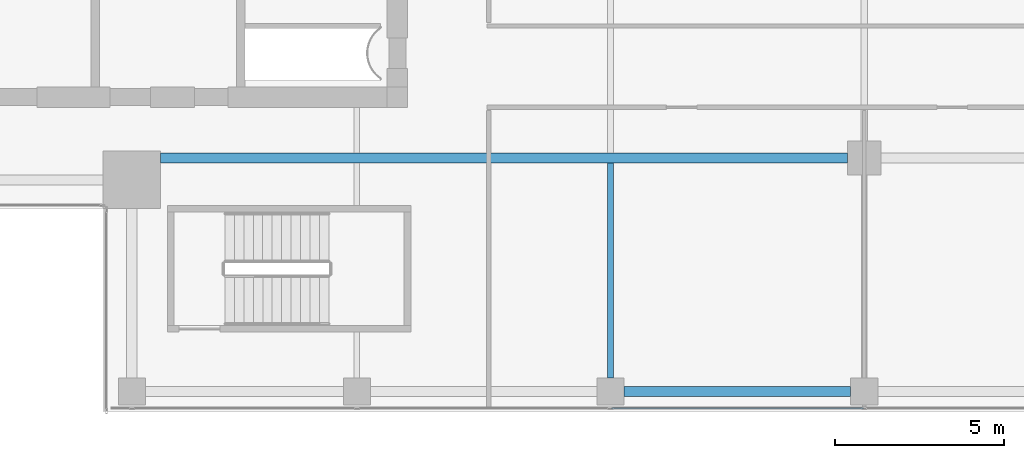
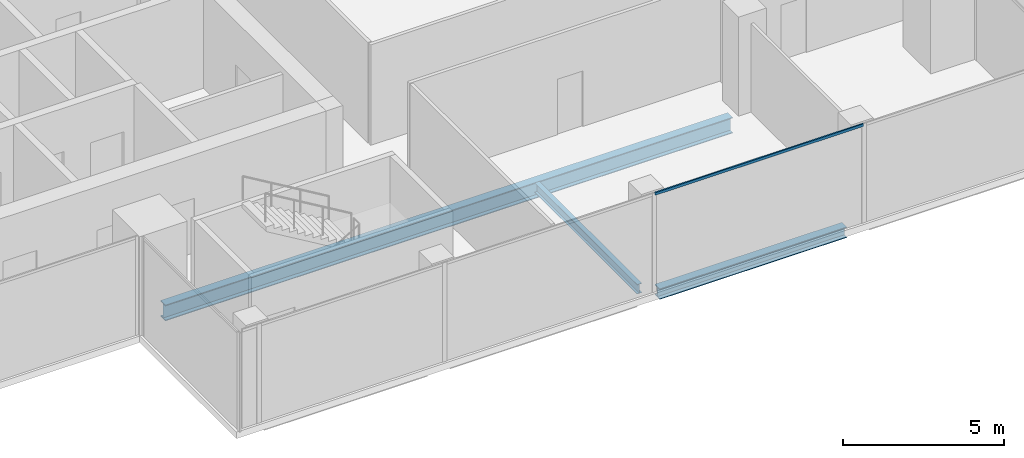
# One storey, part 6 of 29: 3 beams, 1 member, 1 element without a shape of its own.
"""IFC4 building model written with IfcOpenShell, lengths in metres."""

import ifcopenshell
import ifcopenshell.guid

model = None  # the IFC model being written
_history = None  # IfcOwnerHistory: only IFC2X3 demands one
_inside = {}  # id of a spatial element -> (the spatial element, [elements in it])
_under = {}  # id of a project, library or spatial element -> (it, [spatial elements below it])
_declared = {}  # id of a project -> (the project, [libraries it declares])
_typed = {}  # id of a type object -> (the type object, [elements of that type])
_made_of = {}  # id of a material, layer set ... -> (it, [elements and type objects made of it])


def new_model(schema):
    """Start an empty IFC model of exactly this schema.

    Asked for "IFC4X3", IfcOpenShell would pick the latest addendum, in which some entities
    have other attributes; the version numbers below select the first issue.
    IFC2X3 requires an IfcOwnerHistory on every rooted entity: one is made here for all.
    """
    global model, _history
    if schema == "IFC4X3":
        model = ifcopenshell.file(schema_version=(4, 3, 0, 0))
    else:
        model = ifcopenshell.file(schema=schema)
    _inside.clear()
    _under.clear()
    _declared.clear()
    _typed.clear()
    _made_of.clear()
    _history = None
    if model.schema == "IFC2X3":
        org = make("IfcOrganization", Name="unknown")
        user = make(
            "IfcPersonAndOrganization",
            ThePerson=make("IfcPerson", FamilyName="unknown"),
            TheOrganization=org,
        )
        app = make(
            "IfcApplication",
            ApplicationDeveloper=org,
            Version="unknown",
            ApplicationFullName="unknown",
            ApplicationIdentifier="unknown",
        )
        _history = make(
            "IfcOwnerHistory",
            OwningUser=user,
            OwningApplication=app,
            ChangeAction="ADDED",
            CreationDate=0,
        )
    return model


def make(cls, **values):
    """One entity of the class cls with the attributes given. An attribute that is None is left unset."""
    return model.create_entity(
        cls, **{name: value for name, value in values.items() if value is not None}
    )


def rooted(cls, **values):
    """An entity with a GlobalId (a new one), such as an element, a storey or a relation."""
    return make(cls, GlobalId=ifcopenshell.guid.new(), OwnerHistory=_history, **values)


def si_unit(unit_type, name, prefix=None):
    """IfcSIUnit, for example si_unit("LENGTHUNIT", "METRE", prefix="MILLI")."""
    return make("IfcSIUnit", UnitType=unit_type, Prefix=prefix, Name=name)


def assignment(units):
    """IfcUnitAssignment: the units of a project."""
    return None if units is None else make("IfcUnitAssignment", Units=units)


def point(xyz):
    """IfcCartesianPoint."""
    return None if xyz is None else make("IfcCartesianPoint", Coordinates=xyz)


def direction(xyz):
    """IfcDirection."""
    return None if xyz is None else make("IfcDirection", DirectionRatios=xyz)


def frame(location, z_axis=None, x_axis=None):
    """IfcAxis2Placement3D, a coordinate frame: its origin and axes. An axis left out is left unset."""
    return make(
        "IfcAxis2Placement3D",
        Location=point(location),
        Axis=direction(z_axis),
        RefDirection=direction(x_axis),
    )


def frame_2d(location, x_axis=None):
    """IfcAxis2Placement2D, a coordinate frame in the plane: its origin and x axis."""
    return make(
        "IfcAxis2Placement2D", Location=point(location), RefDirection=direction(x_axis)
    )


def origin():
    """The frame at (0, 0, 0) with its axes left unset."""
    return frame((0.0, 0.0, 0.0))


def origin_2d():
    """The frame at (0, 0) in the plane with its x axis left unset."""
    return frame_2d((0.0, 0.0))


def place(relative_to, where):
    """IfcLocalPlacement: puts the frame where relative to a parent placement (None: the world)."""
    return make(
        "IfcLocalPlacement", PlacementRelTo=relative_to, RelativePlacement=where
    )


def context(
    kind, dimensions, precision=None, world=None, true_north=None, identifier=None
):
    """IfcGeometricRepresentationContext, for example the 3D "Model" context."""
    return make(
        "IfcGeometricRepresentationContext",
        ContextIdentifier=identifier,
        ContextType=kind,
        CoordinateSpaceDimension=dimensions,
        Precision=precision,
        WorldCoordinateSystem=world,
        TrueNorth=true_north,
    )


def subcontext(parent, identifier, kind, view, scale=None):
    """IfcGeometricRepresentationSubContext, for example "Body" below "Model"."""
    return make(
        "IfcGeometricRepresentationSubContext",
        ContextIdentifier=identifier,
        ContextType=kind,
        ParentContext=parent,
        TargetScale=scale,
        TargetView=view,
    )


def project(units=None, contexts=None):
    """IfcProject with its units and contexts."""
    return rooted(
        "IfcProject",
        Name="project",
        RepresentationContexts=contexts,
        UnitsInContext=assignment(units),
    )


def spatial(cls, under=None, at=None, **own):
    """A site, building, storey or space (cls), placed at a placement, below another one or the project."""
    s = rooted(cls, ObjectPlacement=at, **own)
    if under is not None:
        _under.setdefault(under.id(), (under, []))[1].append(s)
    return s


def profile(cls, at=None, kind="AREA", **sizes):
    """A parametric profile (cls). Its sizes go by their IFC names, for example OverallWidth=200.0."""
    return make(cls, ProfileType=kind, Position=at, **sizes)


def hollow_rectangle(**sizes):
    """IfcRectangleHollowProfileDef."""
    return profile("IfcRectangleHollowProfileDef", **sizes)


def i_section(**sizes):
    """IfcIShapeProfileDef."""
    return profile("IfcIShapeProfileDef", **sizes)


def extrude(swept, where, along, depth):
    """IfcExtrudedAreaSolid: the profile swept, set in the frame where, extruded along a direction by depth."""
    return make(
        "IfcExtrudedAreaSolid",
        SweptArea=swept,
        Position=where,
        ExtrudedDirection=direction(along),
        Depth=depth,
    )


def shape(context_of_items, identifier, shape_type, items):
    """IfcShapeRepresentation: the items that make up one representation, for example the "Body"."""
    return make(
        "IfcShapeRepresentation",
        ContextOfItems=context_of_items,
        RepresentationIdentifier=identifier,
        RepresentationType=shape_type,
        Items=items,
    )


def source(mapping_origin, context_of_items, identifier, shape_type, items):
    """IfcRepresentationMap: a shape defined once, which mapped items show again and again."""
    return make(
        "IfcRepresentationMap",
        MappingOrigin=mapping_origin,
        MappedRepresentation=shape(context_of_items, identifier, shape_type, items),
    )


def transform(
    local_origin,
    x_axis=None,
    y_axis=None,
    z_axis=None,
    scale=None,
    scale2=None,
    scale3=None,
    uniform=True,
):
    """IfcCartesianTransformationOperator3D, or its non-uniform kind. x_axis, y_axis, z_axis: its Axis1, 2, 3."""
    if uniform:
        return make(
            "IfcCartesianTransformationOperator3D",
            Axis1=direction(x_axis),
            Axis2=direction(y_axis),
            LocalOrigin=point(local_origin),
            Scale=scale,
            Axis3=direction(z_axis),
        )
    return make(
        "IfcCartesianTransformationOperator3DnonUniform",
        Axis1=direction(x_axis),
        Axis2=direction(y_axis),
        LocalOrigin=point(local_origin),
        Scale=scale,
        Axis3=direction(z_axis),
        Scale2=scale2,
        Scale3=scale3,
    )


def mapped(mapping_source, mapping_target):
    """IfcMappedItem: shows the shape of a source again, moved by a transform."""
    return make(
        "IfcMappedItem", MappingSource=mapping_source, MappingTarget=mapping_target
    )


def material(Name=None, Category=None):
    """IfcMaterial."""
    return make("IfcMaterial", Name=Name, Category=Category)


def material_profile(
    of_material, cross_section, Name=None, Category=None, Priority=None
):
    """IfcMaterialProfile: a cross section and its material."""
    return make(
        "IfcMaterialProfile",
        Name=Name,
        Material=of_material,
        Profile=cross_section,
        Priority=Priority,
        Category=Category,
    )


def profile_set(profiles, Name=None, composite=None):
    """IfcMaterialProfileSet."""
    return make(
        "IfcMaterialProfileSet",
        Name=Name,
        MaterialProfiles=profiles,
        CompositeProfile=composite,
    )


def made_of(thing, what):
    """Note that an element or type object is made of a material, layer set ...; save() writes the relation."""
    if what is not None:
        _made_of.setdefault(what.id(), (what, []))[1].append(thing)
    return thing


def type_object(cls, material=None, **own):
    """A type object (cls), such as IfcWallType, which elements share."""
    return made_of(rooted(cls, **own), material)


def element(
    cls,
    number,
    at=None,
    inside=None,
    cuts=None,
    type_object=None,
    material=None,
    context=None,
    identifier="Body",
    shape_type=None,
    held_by="IfcProductDefinitionShape",
    body=None,
    shapes=None,
    **own,
):
    """One element of the class cls, such as IfcWall. Its Tag is "e" and its number.

    at: its placement. inside: the storey or other place that contains it. cuts: it is an
    opening in that element (IfcRelVoidsElement). A single representation is given by context,
    identifier, shape_type and body (its items); several are given by shapes. held_by: the class
    of the entity that holds the representations. save() writes the other relations.
    """
    e = rooted(cls, Tag="e%d" % number, ObjectPlacement=at, **own)
    if body is not None:
        shapes = [shape(context, identifier, shape_type, body)]
    if shapes is not None:
        e.Representation = make(held_by, Representations=shapes)
    if inside is not None:
        _inside.setdefault(inside.id(), (inside, []))[1].append(e)
    if cuts is not None:
        rooted(
            "IfcRelVoidsElement", RelatingBuildingElement=cuts, RelatedOpeningElement=e
        )
    if type_object is not None:
        _typed.setdefault(type_object.id(), (type_object, []))[1].append(e)
    return made_of(e, material)


def aggregate(whole, parts):
    """IfcRelAggregates: a whole, such as a stair, and the parts it consists of."""
    return rooted("IfcRelAggregates", RelatingObject=whole, RelatedObjects=parts)


def save(model, path):
    """Write the relations noted so far, then the file.

    IfcRelAggregates (storeys below a building ...), IfcRelContainedInSpatialStructure (elements
    in a storey), IfcRelDefinesByType, IfcRelAssociatesMaterial and IfcRelDeclares: one each for
    every whole, place, type object, material and project.
    """
    for whole, parts in _under.values():
        aggregate(whole, parts)
    for where, things in _inside.values():
        rooted(
            "IfcRelContainedInSpatialStructure",
            RelatedElements=things,
            RelatingStructure=where,
        )
    for kind, things in _typed.values():
        rooted("IfcRelDefinesByType", RelatedObjects=things, RelatingType=kind)
    for what, things in _made_of.values():
        rooted("IfcRelAssociatesMaterial", RelatedObjects=things, RelatingMaterial=what)
    for by, libraries in _declared.values():
        rooted("IfcRelDeclares", RelatingContext=by, RelatedDefinitions=libraries)
    model.write(path)


model = new_model("IFC4")

# Units and contexts
model_context = context("Model", 3, precision=1e-05, world=origin(), true_north=direction((0.0, 1.0)))
body_context = subcontext(model_context, "Body", "Model", "MODEL_VIEW")
ifc_project = project(units=[si_unit("LENGTHUNIT", "METRE"), si_unit("AREAUNIT", "SQUARE_METRE"), si_unit("VOLUMEUNIT", "CUBIC_METRE"), si_unit("PLANEANGLEUNIT", "RADIAN"), si_unit("MASSUNIT", "GRAM", prefix="KILO")], contexts=[model_context])

# Site, building, storey
site_placement = place(None, origin())
site = spatial("IfcSite", under=ifc_project, at=site_placement, CompositionType="ELEMENT")
building_placement = place(site_placement, origin())
building = spatial("IfcBuilding", under=site, at=building_placement, Name="Khomas Fold Tower", CompositionType="ELEMENT")
storey_placement = place(building_placement, frame((0.0, 0.0, 326.199951171875)))
storey = spatial("IfcBuildingStorey", under=building, at=storey_placement, Name="L74", CompositionType="ELEMENT", Elevation=326.199951171875)

# Beams
ifc_material_1 = material(Name="Steel S355", Category="steel")
ifc_material_profile_1 = material_profile(ifc_material_1, i_section(OverallWidth=0.300048828125, OverallDepth=0.39990234375, WebThickness=0.013427734375, FlangeThickness=0.02392578125, at=origin_2d()), Name="HE 400 B")
ifc_profile_set_1 = profile_set([ifc_material_profile_1], Name="Steel S355")
beam_type_1 = type_object("IfcBeamType", Name="HE 400 B spandrel SB5", PredefinedType="SPANDREL", material=ifc_profile_set_1)
shared_shape_1 = source(origin(), body_context, "Body", "SweptSolid", [
    extrude(i_section(OverallWidth=0.300048828125, OverallDepth=0.39990234375, WebThickness=0.013427734375, FlangeThickness=0.02392578125, at=origin_2d()), origin(), (0.0, 0.0, 1.0), 6.7001953125),
])
beam_1_placement = place(storey_placement, frame((27.39990234375, 6.60009765625, -0.449951171875), z_axis=(1.0, 0.0, 0.0), x_axis=(0.0, 1.0, 0.0)))
element("IfcBeam", 1, at=beam_1_placement, inside=storey, type_object=beam_type_1, Name="SB5", PredefinedType="SPANDREL", context=body_context, shape_type="MappedRepresentation", body=[
    mapped(shared_shape_1, transform((0.0, 0.0, 0.0))),
])
ifc_material_2 = material(Name="Steel S355", Category="steel")
ifc_material_profile_2 = material_profile(ifc_material_2, i_section(OverallWidth=0.300048828125, OverallDepth=0.60009765625, WebThickness=0.015380859375, FlangeThickness=0.030029296875, at=origin_2d()), Name="HE 600 B")
ifc_profile_set_2 = profile_set([ifc_material_profile_2], Name="Steel S355")
beam_type_2 = type_object("IfcBeamType", Name="HE 600 B beam GB5", PredefinedType="BEAM", material=ifc_profile_set_2)
shared_shape_2 = source(origin(), body_context, "Body", "SweptSolid", [
    extrude(i_section(OverallWidth=0.300048828125, OverallDepth=0.60009765625, WebThickness=0.015380859375, FlangeThickness=0.030029296875, at=origin_2d()), origin(), (0.0, 0.0, 1.0), 20.300048828125),
])
beam_2_placement = place(storey_placement, frame((13.699951171875, 13.5, -0.550048828125), z_axis=(1.0, 0.0, 0.0), x_axis=(0.0, 1.0, 0.0)))
element("IfcBeam", 2, at=beam_2_placement, inside=storey, type_object=beam_type_2, Name="GB5", PredefinedType="BEAM", context=body_context, shape_type="MappedRepresentation", body=[
    mapped(shared_shape_2, transform((0.0, 0.0, 0.0))),
])
ifc_material_3 = material(Name="Steel S355", Category="steel")
ifc_material_profile_3 = material_profile(ifc_material_3, i_section(OverallWidth=0.169921875, OverallDepth=0.360107421875, WebThickness=0.008056640625, FlangeThickness=0.0126953125, at=origin_2d()), Name="IPE 360")
ifc_profile_set_3 = profile_set([ifc_material_profile_3], Name="Steel S355")
beam_type_3 = type_object("IfcBeamType", Name="IPE 360 beam JB2", PredefinedType="BEAM", material=ifc_profile_set_3)
shared_shape_3 = source(origin(), body_context, "Body", "SweptSolid", [
    extrude(i_section(OverallWidth=0.169921875, OverallDepth=0.360107421875, WebThickness=0.008056640625, FlangeThickness=0.0126953125, at=origin_2d()), origin(), (0.0, 0.0, 1.0), 6.35009765625),
])
beam_3_placement = place(storey_placement, frame((27.0, 7.0, -0.429931640625), z_axis=(0.0, 1.0, 0.0), x_axis=(-1.0, 0.0, 0.0)))
element("IfcBeam", 3, at=beam_3_placement, inside=storey, type_object=beam_type_3, Name="JB2", PredefinedType="BEAM", context=body_context, shape_type="MappedRepresentation", body=[
    mapped(shared_shape_3, transform((0.0, 0.0, 0.0))),
])

# Curtain wall, member
ifc_material_4 = material(Name="Aluminium framed double glazing", Category="aluminium")
curtain_wall_type = type_object("IfcCurtainWallType", Name="SK-Unitised clear-glass wall, upper floors CW3", PredefinedType="NOTDEFINED", material=ifc_material_4)
curtain_wall_placement = place(storey_placement, origin())
curtain_wall = element("IfcCurtainWall", 4, at=curtain_wall_placement, inside=storey, type_object=curtain_wall_type, Name="CW3 run L74 00-0", PredefinedType="NOTDEFINED")
ifc_material_5 = material(Name="Aluminium", Category="aluminium")
ifc_material_profile_4 = material_profile(ifc_material_5, hollow_rectangle(XDim=0.050048828125, YDim=0.10009765625, WallThickness=0.00390625, at=origin_2d()), Name="SK-Unitised clear-glass wall, upper floors transom CW3-T")
ifc_profile_set_4 = profile_set([ifc_material_profile_4], Name="Aluminium")
member_type = type_object("IfcMemberType", Name="SK-Unitised clear-glass wall, upper floors transom CW3-T", PredefinedType="USERDEFINED", material=ifc_profile_set_4)
shared_shape_4 = source(origin(), body_context, "Body", "SweptSolid", [
    extrude(hollow_rectangle(XDim=0.050048828125, YDim=0.10009765625, WallThickness=0.00390625, at=origin_2d()), origin(), (0.0, 0.0, 1.0), 7.4501953125),
])
member_placement = place(storey_placement, frame((27.02490234375, 6.10009765625, 3.699951171875), z_axis=(1.0, 0.0, 0.0), x_axis=(0.0, 1.0, 0.0)))
member = element("IfcMember", 5, at=member_placement, type_object=member_type, Name="CW3 transom 4", ObjectType="TRANSOM", PredefinedType="USERDEFINED", context=body_context, shape_type="MappedRepresentation", body=[
    mapped(shared_shape_4, transform((0.0, 0.0, 0.0))),
])
aggregate(curtain_wall, [member])

save(model, "model.ifc")
